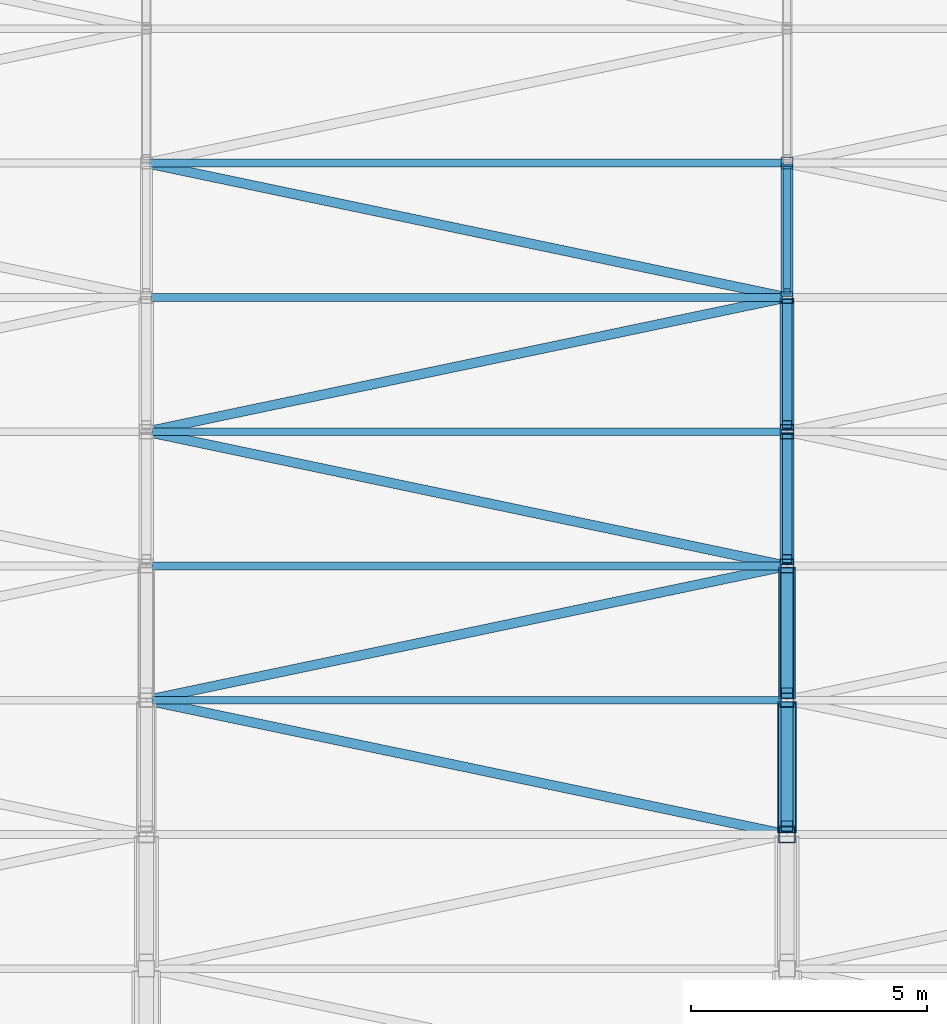
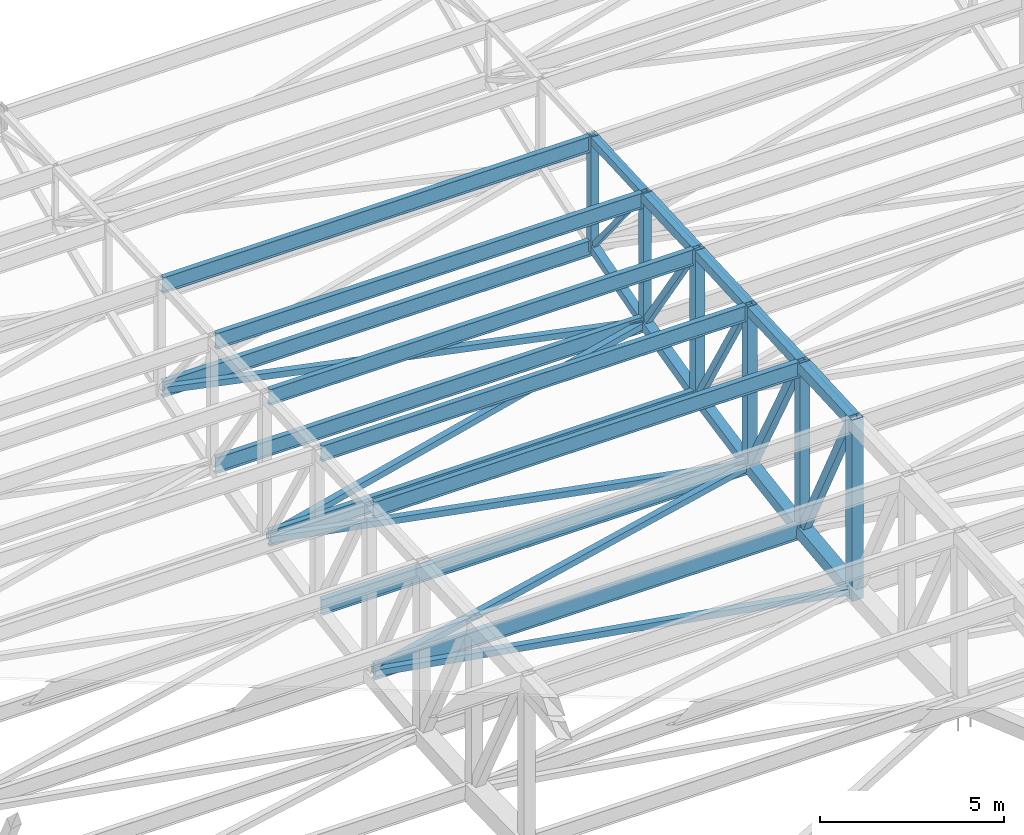
# One storey, part 20 of 278: 20 members, 16 beams.
"""IFC4 building model written with IfcOpenShell, lengths in metres."""

from ifc_helpers import new_model, si_unit, direction, frame, origin, origin_2d, place, context, subcontext, project, spatial, hollow_rectangle, i_section, extrude, material, material_profile, profile_set, type_object, element, save


model = new_model("IFC4")

# Units and contexts
model_context = context("Model", 3, precision=1e-05, world=origin(), true_north=direction((0.0, 1.0)))
body_context = subcontext(model_context, "Body", "Model", "MODEL_VIEW")
ifc_project = project(units=[si_unit("LENGTHUNIT", "METRE"), si_unit("AREAUNIT", "SQUARE_METRE"), si_unit("VOLUMEUNIT", "CUBIC_METRE"), si_unit("PLANEANGLEUNIT", "RADIAN"), si_unit("MASSUNIT", "GRAM", prefix="KILO")], contexts=[model_context])

# Site, building, storey
site_placement = place(None, origin())
site = spatial("IfcSite", under=ifc_project, at=site_placement, CompositionType="ELEMENT")
building_placement = place(site_placement, origin())
building = spatial("IfcBuilding", under=site, at=building_placement, Name="Ogive Plaza Stadium", CompositionType="ELEMENT")
storey_placement = place(building_placement, frame((0.0, 0.0, 29.0)))
storey = spatial("IfcBuildingStorey", under=building, at=storey_placement, Name="Roof", CompositionType="ELEMENT", Elevation=29.0)

# Members
ifc_material_1 = material(Name="Steel ASTM A500 Grade C", Category="steel")
ifc_material_profile_1 = material_profile(ifc_material_1, hollow_rectangle(XDim=0.203125, YDim=0.203125, WallThickness=0.0087890625, at=origin_2d()), Name="HSS8X8X3/8")
ifc_profile_set_1 = profile_set([ifc_material_profile_1], Name="Steel ASTM A500 Grade C")
member_type_1 = type_object("IfcMemberType", Name="Roof plan brace HSS8X8X3/8", PredefinedType="BRACE", material=ifc_profile_set_1)
member_1_placement = place(storey_placement, frame((-6.70703125, -72.569580078125, 3.269775390625), z_axis=(0.977082530992, -0.204752597487, -0.058190217838), x_axis=(0.205100136873, 0.978740994265, 0.0)))
element("IfcMember", 1, at=member_1_placement, inside=storey, type_object=member_type_1, Name="ROOF BRACE B14 4", PredefinedType="BRACE", context=body_context, shape_type="SweptSolid", body=[
    extrude(hollow_rectangle(XDim=0.203125, YDim=0.203125, WallThickness=0.0087890625, at=origin_2d()), origin(), (0.0, 0.0, 1.0), 13.70263671875),
])
member_2_placement = place(storey_placement, frame((6.681640625, -75.4248046875, 2.459228515625), z_axis=(-0.977474612888, -0.204849020574, -0.05079625901), x_axis=(0.205113814972, -0.97873812785, 0.0)))
element("IfcMember", 2, at=member_2_placement, inside=storey, type_object=member_type_1, Name="ROOF BRACE B14 5", PredefinedType="BRACE", context=body_context, shape_type="SweptSolid", body=[
    extrude(hollow_rectangle(XDim=0.203125, YDim=0.203125, WallThickness=0.0087890625, at=origin_2d()), origin(), (0.0, 0.0, 1.0), 13.64501953125),
])
member_3_placement = place(storey_placement, frame((-6.656005859375, -78.280029296875, 1.752685546875), z_axis=(0.977964741521, -0.204951823008, -0.039745623505), x_axis=(0.20511389775, 0.978738110502, 0.0)))
element("IfcMember", 3, at=member_3_placement, inside=storey, type_object=member_type_1, Name="ROOF BRACE B14 6", PredefinedType="BRACE", context=body_context, shape_type="SweptSolid", body=[
    extrude(hollow_rectangle(XDim=0.203125, YDim=0.203125, WallThickness=0.0087890625, at=origin_2d()), origin(), (0.0, 0.0, 1.0), 13.612060546875),
])
member_4_placement = place(storey_placement, frame((6.656005859375, -81.130126953125, 1.201416015625), z_axis=(-0.978281677064, -0.20501824311, -0.030536540629), x_axis=(0.20511389775, -0.978738110502, 0.0)))
element("IfcMember", 4, at=member_4_placement, inside=storey, type_object=member_type_1, Name="ROOF BRACE B14 7", PredefinedType="BRACE", context=body_context, shape_type="SweptSolid", body=[
    extrude(hollow_rectangle(XDim=0.203125, YDim=0.203125, WallThickness=0.0087890625, at=origin_2d()), origin(), (0.0, 0.0, 1.0), 13.607666015625),
])
member_5_placement = place(storey_placement, frame((-6.656005859375, -83.980224609375, 0.778564453125), z_axis=(0.978553602064, -0.20507154885, -0.019455275393), x_axis=(0.205110370456, 0.97873884971, 0.0)))
element("IfcMember", 5, at=member_5_placement, inside=storey, type_object=member_type_1, Name="ROOF BRACE B14 8", PredefinedType="BRACE", context=body_context, shape_type="SweptSolid", body=[
    extrude(hollow_rectangle(XDim=0.203125, YDim=0.203125, WallThickness=0.0087890625, at=origin_2d()), origin(), (0.0, 0.0, 1.0), 13.577880859375),
])
ifc_material_2 = material(Name="Steel ASTM A992 Grade 50", Category="steel")
ifc_material_profile_2 = material_profile(ifc_material_2, i_section(OverallWidth=0.1650390625, OverallDepth=0.524658203125, WebThickness=0.0087890625, FlangeThickness=0.011474609375, at=origin_2d()), Name="W21X44")
ifc_profile_set_2 = profile_set([ifc_material_profile_2], Name="Steel ASTM A992 Grade 50")
member_type_2 = type_object("IfcMemberType", Name="Roof plan strut W21X44", PredefinedType="STRUT", material=ifc_profile_set_2)
member_6_placement = place(storey_placement, frame((6.728515625, -72.550048828125, 3.275146484375), z_axis=(-1.0, 0.0, 0.0), x_axis=(0.0, -1.0, 0.0)))
element("IfcMember", 6, at=member_6_placement, inside=storey, type_object=member_type_2, Name="ROOF STRUT B14 3", PredefinedType="STRUT", context=body_context, shape_type="SweptSolid", body=[
    extrude(i_section(OverallWidth=0.1650390625, OverallDepth=0.524658203125, WebThickness=0.0087890625, FlangeThickness=0.011474609375, at=origin_2d()), origin(), (0.0, 0.0, 1.0), 13.45703125),
])
member_7_placement = place(storey_placement, frame((6.702880859375, -75.39990234375, 2.46533203125), z_axis=(-1.0, 0.0, 0.0), x_axis=(0.0, -1.0, 0.0)))
element("IfcMember", 7, at=member_7_placement, inside=storey, type_object=member_type_2, Name="ROOF STRUT B14 4", PredefinedType="STRUT", context=body_context, shape_type="SweptSolid", body=[
    extrude(i_section(OverallWidth=0.1650390625, OverallDepth=0.524658203125, WebThickness=0.0087890625, FlangeThickness=0.011474609375, at=origin_2d()), origin(), (0.0, 0.0, 1.0), 13.40576171875),
])
for number, where, z_axis, x_axis, name in (
    (8, (6.677490234375, -78.25, 1.758544921875), (-1.0, 0.0, 0.0), (0.0, -1.0, 0.0), "ROOF STRUT B14 5"),
    (9, (6.677490234375, -81.10009765625, 1.205810546875), (-1.0, 0.0, 0.0), (0.0, -1.0, 0.0), "ROOF STRUT B14 6"),
    (10, (6.677490234375, -83.949951171875, 0.781494140625), (-1.0, 0.0, 0.0), (0.0, -1.0, 0.0), "ROOF STRUT B14 7"),
):
    element("IfcMember", number, at=place(storey_placement, frame(where, z_axis=z_axis, x_axis=x_axis)), inside=storey, type_object=member_type_2, Name=name, PredefinedType="STRUT", context=body_context, shape_type="SweptSolid", body=[
        extrude(i_section(OverallWidth=0.1650390625, OverallDepth=0.524658203125, WebThickness=0.0087890625, FlangeThickness=0.011474609375, at=origin_2d()), origin(), (0.0, 0.0, 1.0), 13.35498046875),
    ])
ifc_material_3 = material(Name="Steel ASTM A992 Grade 50", Category="steel")
ifc_material_profile_3 = material_profile(ifc_material_3, i_section(OverallWidth=0.1650390625, OverallDepth=0.524658203125, WebThickness=0.0087890625, FlangeThickness=0.011474609375, at=origin_2d()), Name="W21X44")
ifc_profile_set_3 = profile_set([ifc_material_profile_3], Name="Steel ASTM A992 Grade 50")
member_type_3 = type_object("IfcMemberType", Name="Roof purlin W21X44", PredefinedType="PURLIN", material=ifc_profile_set_3)
member_8_placement = place(storey_placement, frame((6.728515625, -72.550048828125, 6.735107421875), z_axis=(-1.0, 0.0, 0.0), x_axis=(0.0, -1.0, 0.0)))
element("IfcMember", 11, at=member_8_placement, inside=storey, type_object=member_type_3, Name="ROOF PURLIN B14 3", PredefinedType="PURLIN", context=body_context, shape_type="SweptSolid", body=[
    extrude(i_section(OverallWidth=0.1650390625, OverallDepth=0.524658203125, WebThickness=0.0087890625, FlangeThickness=0.011474609375, at=origin_2d()), origin(), (0.0, 0.0, 1.0), 13.45703125),
])
member_9_placement = place(storey_placement, frame((6.702880859375, -75.39990234375, 6.592529296875), z_axis=(-1.0, 0.0, 0.0), x_axis=(0.0, -1.0, 0.0)))
element("IfcMember", 12, at=member_9_placement, inside=storey, type_object=member_type_3, Name="ROOF PURLIN B14 4", PredefinedType="PURLIN", context=body_context, shape_type="SweptSolid", body=[
    extrude(i_section(OverallWidth=0.1650390625, OverallDepth=0.524658203125, WebThickness=0.0087890625, FlangeThickness=0.011474609375, at=origin_2d()), origin(), (0.0, 0.0, 1.0), 13.40576171875),
])
for number, where, z_axis, x_axis, name in (
    (13, (6.677490234375, -78.25, 6.4501953125), (-1.0, 0.0, 0.0), (0.0, -1.0, 0.0), "ROOF PURLIN B14 5"),
    (14, (6.677490234375, -81.10009765625, 6.3076171875), (-1.0, 0.0, 0.0), (0.0, -1.0, 0.0), "ROOF PURLIN B14 6"),
    (15, (6.677490234375, -83.949951171875, 6.1650390625), (-1.0, 0.0, 0.0), (0.0, -1.0, 0.0), "ROOF PURLIN B14 7"),
):
    element("IfcMember", number, at=place(storey_placement, frame(where, z_axis=z_axis, x_axis=x_axis)), inside=storey, type_object=member_type_3, Name=name, PredefinedType="PURLIN", context=body_context, shape_type="SweptSolid", body=[
        extrude(i_section(OverallWidth=0.1650390625, OverallDepth=0.524658203125, WebThickness=0.0087890625, FlangeThickness=0.011474609375, at=origin_2d()), origin(), (0.0, 0.0, 1.0), 13.35498046875),
    ])

# Beams
ifc_material_4 = material(Name="Steel ASTM A500 Grade C", Category="steel")
ifc_material_profile_4 = material_profile(ifc_material_4, hollow_rectangle(XDim=0.25390625, YDim=0.25390625, WallThickness=0.01171875, at=origin_2d()), Name="HSS10X10X1/2")
ifc_profile_set_4 = profile_set([ifc_material_profile_4], Name="Steel ASTM A500 Grade C")
beam_type_1 = type_object("IfcBeamType", Name="Roof truss bottom chord HSS10X10X1/2", PredefinedType="BEAM", material=ifc_profile_set_4)
beam_1_placement = place(storey_placement, frame((6.800048828125, -72.60009765625, 3.265869140625), z_axis=(0.0, -0.959640437259, -0.281229854705), x_axis=(1.0, 0.0, 0.0)))
element("IfcBeam", 16, at=beam_1_placement, inside=storey, type_object=beam_type_1, Name="ROOF TRUSS T14 BOTTOM CHORD 4", PredefinedType="BEAM", context=body_context, shape_type="SweptSolid", body=[
    extrude(hollow_rectangle(XDim=0.25390625, YDim=0.25390625, WallThickness=0.01171875, at=origin_2d()), origin(), (0.0, 0.0, 1.0), 2.86572265625),
])
ifc_material_5 = material(Name="Steel ASTM A500 Grade C", Category="steel")
ifc_material_profile_5 = material_profile(ifc_material_5, hollow_rectangle(XDim=0.3046875, YDim=0.3046875, WallThickness=0.0146484375, at=origin_2d()), Name="HSS12X12X5/8")
ifc_profile_set_5 = profile_set([ifc_material_profile_5], Name="Steel ASTM A500 Grade C")
beam_type_2 = type_object("IfcBeamType", Name="Roof truss bottom chord HSS12X12X5/8", PredefinedType="BEAM", material=ifc_profile_set_5)
beam_2_placement = place(storey_placement, frame((6.800048828125, -75.449951171875, 2.45751953125), z_axis=(0.0, -0.970607032995, -0.240669872439), x_axis=(1.0, 0.0, 0.0)))
element("IfcBeam", 17, at=beam_2_placement, inside=storey, type_object=beam_type_2, Name="ROOF TRUSS T14 BOTTOM CHORD 5", PredefinedType="BEAM", context=body_context, shape_type="SweptSolid", body=[
    extrude(hollow_rectangle(XDim=0.3046875, YDim=0.3046875, WallThickness=0.0146484375, at=origin_2d()), origin(), (0.0, 0.0, 1.0), 2.833251953125),
])
beam_3_placement = place(storey_placement, frame((6.800048828125, -78.300048828125, 1.751708984375), z_axis=(0.0, -0.980021250437, -0.19889280704), x_axis=(1.0, 0.0, 0.0)))
element("IfcBeam", 18, at=beam_3_placement, inside=storey, type_object=beam_type_2, Name="ROOF TRUSS T14 BOTTOM CHORD 6", PredefinedType="BEAM", context=body_context, shape_type="SweptSolid", body=[
    extrude(hollow_rectangle(XDim=0.3046875, YDim=0.3046875, WallThickness=0.0146484375, at=origin_2d()), origin(), (0.0, 0.0, 1.0), 2.80615234375),
])
ifc_material_6 = material(Name="Steel ASTM A500 Grade C", Category="steel")
ifc_material_profile_6 = material_profile(ifc_material_6, hollow_rectangle(XDim=0.355712890625, YDim=0.355712890625, WallThickness=0.0146484375, at=origin_2d()), Name="HSS14X14X5/8")
ifc_profile_set_6 = profile_set([ifc_material_profile_6], Name="Steel ASTM A500 Grade C")
beam_type_3 = type_object("IfcBeamType", Name="Roof truss bottom chord HSS14X14X5/8", PredefinedType="BEAM", material=ifc_profile_set_6)
beam_4_placement = place(storey_placement, frame((6.800048828125, -81.14990234375, 1.2001953125), z_axis=(0.0, -0.987770074518, -0.155917541947), x_axis=(1.0, 0.0, 0.0)))
element("IfcBeam", 19, at=beam_4_placement, inside=storey, type_object=beam_type_3, Name="ROOF TRUSS T14 BOTTOM CHORD 7", PredefinedType="BEAM", context=body_context, shape_type="SweptSolid", body=[
    extrude(hollow_rectangle(XDim=0.355712890625, YDim=0.355712890625, WallThickness=0.0146484375, at=origin_2d()), origin(), (0.0, 0.0, 1.0), 2.783935546875),
])
ifc_material_7 = material(Name="Steel ASTM A500 Grade C", Category="steel")
ifc_material_profile_7 = material_profile(ifc_material_7, hollow_rectangle(XDim=0.406494140625, YDim=0.406494140625, WallThickness=0.0146484375, at=origin_2d()), Name="HSS16X16X5/8")
ifc_profile_set_7 = profile_set([ifc_material_profile_7], Name="Steel ASTM A500 Grade C")
beam_type_4 = type_object("IfcBeamType", Name="Roof truss bottom chord HSS16X16X5/8", PredefinedType="BEAM", material=ifc_profile_set_7)
beam_5_placement = place(storey_placement, frame((6.800048828125, -84.0, 0.777099609375), z_axis=(0.0, -0.993703844406, -0.112038696946), x_axis=(1.0, 0.0, 0.0)))
element("IfcBeam", 20, at=beam_5_placement, inside=storey, type_object=beam_type_4, Name="ROOF TRUSS T14 BOTTOM CHORD 8", PredefinedType="BEAM", context=body_context, shape_type="SweptSolid", body=[
    extrude(hollow_rectangle(XDim=0.406494140625, YDim=0.406494140625, WallThickness=0.0146484375, at=origin_2d()), origin(), (0.0, 0.0, 1.0), 2.767333984375),
])

# Members
ifc_material_8 = material(Name="Steel ASTM A500 Grade C", Category="steel")
ifc_material_profile_8 = material_profile(ifc_material_8, hollow_rectangle(XDim=0.25390625, YDim=0.25390625, WallThickness=0.0087890625, at=origin_2d()), Name="HSS10X10X3/8")
ifc_profile_set_8 = profile_set([ifc_material_profile_8], Name="Steel ASTM A500 Grade C")
member_type_4 = type_object("IfcMemberType", Name="Roof truss diagonal HSS10X10X3/8", PredefinedType="BRACE", material=ifc_profile_set_8)
member_10_placement = place(storey_placement, frame((6.800048828125, -81.25244140625, 1.383544921875), z_axis=(0.0, -0.473127942579, 0.880993728667), x_axis=(1.0, 0.0, 0.0)))
element("IfcMember", 21, at=member_10_placement, inside=storey, type_object=member_type_4, Name="ROOF TRUSS T14 DIAGONAL 7", PredefinedType="BRACE", context=body_context, shape_type="SweptSolid", body=[
    extrude(hollow_rectangle(XDim=0.25390625, YDim=0.25390625, WallThickness=0.0087890625, at=origin_2d()), origin(), (0.0, 0.0, 1.0), 5.37939453125),
])
member_11_placement = place(storey_placement, frame((6.800048828125, -84.102294921875, 0.984619140625), z_axis=(0.0, -0.454062843231, 0.890969659639), x_axis=(1.0, 0.0, 0.0)))
element("IfcMember", 22, at=member_11_placement, inside=storey, type_object=member_type_4, Name="ROOF TRUSS T14 DIAGONAL 8", PredefinedType="BRACE", context=body_context, shape_type="SweptSolid", body=[
    extrude(hollow_rectangle(XDim=0.25390625, YDim=0.25390625, WallThickness=0.0087890625, at=origin_2d()), origin(), (0.0, 0.0, 1.0), 5.550048828125),
])
ifc_material_9 = material(Name="Steel ASTM A500 Grade C", Category="steel")
ifc_material_profile_9 = material_profile(ifc_material_9, hollow_rectangle(XDim=0.15234375, YDim=0.15234375, WallThickness=0.0087890625, at=origin_2d()), Name="HSS6X6X3/8")
ifc_profile_set_9 = profile_set([ifc_material_profile_9], Name="Steel ASTM A500 Grade C")
member_type_5 = type_object("IfcMemberType", Name="Roof truss diagonal HSS6X6X3/8", PredefinedType="BRACE", material=ifc_profile_set_9)
member_12_placement = place(storey_placement, frame((6.800048828125, -72.677001953125, 3.40234375), z_axis=(0.0, -0.630150764463, 0.77647280316), x_axis=(1.0, 0.0, 0.0)))
element("IfcMember", 23, at=member_12_placement, inside=storey, type_object=member_type_5, Name="ROOF TRUSS T14 DIAGONAL 4", PredefinedType="BRACE", context=body_context, shape_type="SweptSolid", body=[
    extrude(hollow_rectangle(XDim=0.15234375, YDim=0.15234375, WallThickness=0.0087890625, at=origin_2d()), origin(), (0.0, 0.0, 1.0), 4.11962890625),
])
ifc_material_10 = material(Name="Steel ASTM A500 Grade C", Category="steel")
ifc_material_profile_10 = material_profile(ifc_material_10, hollow_rectangle(XDim=0.203125, YDim=0.203125, WallThickness=0.0087890625, at=origin_2d()), Name="HSS8X8X3/8")
ifc_profile_set_10 = profile_set([ifc_material_profile_10], Name="Steel ASTM A500 Grade C")
member_type_6 = type_object("IfcMemberType", Name="Roof truss diagonal HSS8X8X3/8", PredefinedType="BRACE", material=ifc_profile_set_10)
member_13_placement = place(storey_placement, frame((6.800048828125, -75.527099609375, 2.617919921875), z_axis=(0.0, -0.561338440243, 0.827586343233), x_axis=(1.0, 0.0, 0.0)))
element("IfcMember", 24, at=member_13_placement, inside=storey, type_object=member_type_6, Name="ROOF TRUSS T14 DIAGONAL 5", PredefinedType="BRACE", context=body_context, shape_type="SweptSolid", body=[
    extrude(hollow_rectangle(XDim=0.203125, YDim=0.203125, WallThickness=0.0087890625, at=origin_2d()), origin(), (0.0, 0.0, 1.0), 4.579345703125),
])
member_14_placement = place(storey_placement, frame((6.800048828125, -78.40234375, 1.9111328125), z_axis=(0.0, -0.504659398762, 0.863318534054), x_axis=(1.0, 0.0, 0.0)))
element("IfcMember", 25, at=member_14_placement, inside=storey, type_object=member_type_6, Name="ROOF TRUSS T14 DIAGONAL 6", PredefinedType="BRACE", context=body_context, shape_type="SweptSolid", body=[
    extrude(hollow_rectangle(XDim=0.203125, YDim=0.203125, WallThickness=0.0087890625, at=origin_2d()), origin(), (0.0, 0.0, 1.0), 5.043212890625),
])

# Beams
ifc_material_11 = material(Name="Steel ASTM A500 Grade C", Category="steel")
ifc_material_profile_11 = material_profile(ifc_material_11, hollow_rectangle(XDim=0.25390625, YDim=0.25390625, WallThickness=0.01171875, at=origin_2d()), Name="HSS10X10X1/2")
ifc_profile_set_11 = profile_set([ifc_material_profile_11], Name="Steel ASTM A500 Grade C")
beam_type_5 = type_object("IfcBeamType", Name="Roof truss post HSS10X10X1/2", PredefinedType="BEAM", material=ifc_profile_set_11)
beam_6_placement = place(storey_placement, frame((6.800048828125, -72.550048828125, 3.148193359375), z_axis=(0.0, 0.0, 1.0), x_axis=(1.0, 0.0, 0.0)))
element("IfcBeam", 26, at=beam_6_placement, inside=storey, type_object=beam_type_5, Name="ROOF TRUSS T14 POST 4", PredefinedType="BEAM", context=body_context, shape_type="SweptSolid", body=[
    extrude(hollow_rectangle(XDim=0.25390625, YDim=0.25390625, WallThickness=0.01171875, at=origin_2d()), origin(), (0.0, 0.0, 1.0), 3.849365234375),
])
beam_7_placement = place(storey_placement, frame((6.800048828125, -75.39990234375, 2.31298828125), z_axis=(0.0, 0.0, 1.0), x_axis=(1.0, 0.0, 0.0)))
element("IfcBeam", 27, at=beam_7_placement, inside=storey, type_object=beam_type_5, Name="ROOF TRUSS T14 POST 5", PredefinedType="BEAM", context=body_context, shape_type="SweptSolid", body=[
    extrude(hollow_rectangle(XDim=0.25390625, YDim=0.25390625, WallThickness=0.01171875, at=origin_2d()), origin(), (0.0, 0.0, 1.0), 4.5419921875),
])
ifc_material_12 = material(Name="Steel ASTM A500 Grade C", Category="steel")
ifc_material_profile_12 = material_profile(ifc_material_12, hollow_rectangle(XDim=0.3046875, YDim=0.3046875, WallThickness=0.01171875, at=origin_2d()), Name="HSS12X12X1/2")
ifc_profile_set_12 = profile_set([ifc_material_profile_12], Name="Steel ASTM A500 Grade C")
beam_type_6 = type_object("IfcBeamType", Name="Roof truss post HSS12X12X1/2", PredefinedType="BEAM", material=ifc_profile_set_12)
beam_8_placement = place(storey_placement, frame((6.800048828125, -78.25, 1.606201171875), z_axis=(0.0, 0.0, 1.0), x_axis=(1.0, 0.0, 0.0)))
element("IfcBeam", 28, at=beam_8_placement, inside=storey, type_object=beam_type_6, Name="ROOF TRUSS T14 POST 6", PredefinedType="BEAM", context=body_context, shape_type="SweptSolid", body=[
    extrude(hollow_rectangle(XDim=0.3046875, YDim=0.3046875, WallThickness=0.01171875, at=origin_2d()), origin(), (0.0, 0.0, 1.0), 5.106201171875),
])
ifc_material_13 = material(Name="Steel ASTM A500 Grade C", Category="steel")
ifc_material_profile_13 = material_profile(ifc_material_13, hollow_rectangle(XDim=0.3046875, YDim=0.3046875, WallThickness=0.0146484375, at=origin_2d()), Name="HSS12X12X5/8")
ifc_profile_set_13 = profile_set([ifc_material_profile_13], Name="Steel ASTM A500 Grade C")
beam_type_7 = type_object("IfcBeamType", Name="Roof truss post HSS12X12X5/8", PredefinedType="BEAM", material=ifc_profile_set_13)
beam_9_placement = place(storey_placement, frame((6.800048828125, -81.10009765625, 1.028076171875), z_axis=(0.0, 0.0, 1.0), x_axis=(1.0, 0.0, 0.0)))
element("IfcBeam", 29, at=beam_9_placement, inside=storey, type_object=beam_type_7, Name="ROOF TRUSS T14 POST 7", PredefinedType="BEAM", context=body_context, shape_type="SweptSolid", body=[
    extrude(hollow_rectangle(XDim=0.3046875, YDim=0.3046875, WallThickness=0.0146484375, at=origin_2d()), origin(), (0.0, 0.0, 1.0), 5.5419921875),
])
beam_10_placement = place(storey_placement, frame((6.800048828125, -83.949951171875, 0.578369140625), z_axis=(0.0, 0.0, 1.0), x_axis=(1.0, 0.0, 0.0)))
element("IfcBeam", 30, at=beam_10_placement, inside=storey, type_object=beam_type_7, Name="ROOF TRUSS T14 POST 8", PredefinedType="BEAM", context=body_context, shape_type="SweptSolid", body=[
    extrude(hollow_rectangle(XDim=0.3046875, YDim=0.3046875, WallThickness=0.0146484375, at=origin_2d()), origin(), (0.0, 0.0, 1.0), 5.84912109375),
])
ifc_material_14 = material(Name="Steel ASTM A500 Grade C", Category="steel")
ifc_material_profile_14 = material_profile(ifc_material_14, hollow_rectangle(XDim=0.355712890625, YDim=0.355712890625, WallThickness=0.0146484375, at=origin_2d()), Name="HSS14X14X5/8")
ifc_profile_set_14 = profile_set([ifc_material_profile_14], Name="Steel ASTM A500 Grade C")
beam_type_8 = type_object("IfcBeamType", Name="Roof truss post HSS14X14X5/8", PredefinedType="BEAM", material=ifc_profile_set_14)
beam_11_placement = place(storey_placement, frame((6.800048828125, -86.800048828125, 0.257080078125), z_axis=(0.0, 0.0, 1.0), x_axis=(1.0, 0.0, 0.0)))
element("IfcBeam", 31, at=beam_11_placement, inside=storey, type_object=beam_type_8, Name="ROOF TRUSS T14 POST 9", PredefinedType="BEAM", context=body_context, shape_type="SweptSolid", body=[
    extrude(hollow_rectangle(XDim=0.355712890625, YDim=0.355712890625, WallThickness=0.0146484375, at=origin_2d()), origin(), (0.0, 0.0, 1.0), 6.02783203125),
])
ifc_material_15 = material(Name="Steel ASTM A500 Grade C", Category="steel")
ifc_material_profile_15 = material_profile(ifc_material_15, hollow_rectangle(XDim=0.25390625, YDim=0.25390625, WallThickness=0.0087890625, at=origin_2d()), Name="HSS10X10X3/8")
ifc_profile_set_15 = profile_set([ifc_material_profile_15], Name="Steel ASTM A500 Grade C")
beam_type_9 = type_object("IfcBeamType", Name="Roof truss top chord HSS10X10X3/8", PredefinedType="BEAM", material=ifc_profile_set_15)
beam_12_placement = place(storey_placement, frame((6.800048828125, -72.60009765625, 6.867919921875), z_axis=(0.0, -0.998748798523, -0.05000837379), x_axis=(1.0, 0.0, 0.0)))
element("IfcBeam", 32, at=beam_12_placement, inside=storey, type_object=beam_type_9, Name="ROOF TRUSS T14 TOP CHORD 4", PredefinedType="BEAM", context=body_context, shape_type="SweptSolid", body=[
    extrude(hollow_rectangle(XDim=0.25390625, YDim=0.25390625, WallThickness=0.0087890625, at=origin_2d()), origin(), (0.0, 0.0, 1.0), 2.75341796875),
])
ifc_material_16 = material(Name="Steel ASTM A500 Grade C", Category="steel")
ifc_material_profile_16 = material_profile(ifc_material_16, hollow_rectangle(XDim=0.3046875, YDim=0.3046875, WallThickness=0.01171875, at=origin_2d()), Name="HSS12X12X1/2")
ifc_profile_set_16 = profile_set([ifc_material_profile_16], Name="Steel ASTM A500 Grade C")
beam_type_10 = type_object("IfcBeamType", Name="Roof truss top chord HSS12X12X1/2", PredefinedType="BEAM", material=ifc_profile_set_16)
beam_13_placement = place(storey_placement, frame((6.800048828125, -81.14990234375, 6.414794921875), z_axis=(0.0, -0.998753223187, -0.049919927615), x_axis=(1.0, 0.0, 0.0)))
element("IfcBeam", 33, at=beam_13_placement, inside=storey, type_object=beam_type_10, Name="ROOF TRUSS T14 TOP CHORD 7", PredefinedType="BEAM", context=body_context, shape_type="SweptSolid", body=[
    extrude(hollow_rectangle(XDim=0.3046875, YDim=0.3046875, WallThickness=0.01171875, at=origin_2d()), origin(), (0.0, 0.0, 1.0), 2.75341796875),
])
ifc_material_17 = material(Name="Steel ASTM A500 Grade C", Category="steel")
ifc_material_profile_17 = material_profile(ifc_material_17, hollow_rectangle(XDim=0.3046875, YDim=0.3046875, WallThickness=0.0087890625, at=origin_2d()), Name="HSS12X12X3/8")
ifc_profile_set_17 = profile_set([ifc_material_profile_17], Name="Steel ASTM A500 Grade C")
beam_type_11 = type_object("IfcBeamType", Name="Roof truss top chord HSS12X12X3/8", PredefinedType="BEAM", material=ifc_profile_set_17)
for number, where, z_axis, x_axis, name in (
    (34, (6.800048828125, -75.449951171875, 6.699951171875), (0.0, -0.998753223187, -0.049919927615), (1.0, 0.0, 0.0), "ROOF TRUSS T14 TOP CHORD 5"),
    (35, (6.800048828125, -78.300048828125, 6.557373046875), (0.0, -0.998753223187, -0.049919927615), (1.0, 0.0, 0.0), "ROOF TRUSS T14 TOP CHORD 6"),
):
    element("IfcBeam", number, at=place(storey_placement, frame(where, z_axis=z_axis, x_axis=x_axis)), inside=storey, type_object=beam_type_11, Name=name, PredefinedType="BEAM", context=body_context, shape_type="SweptSolid", body=[
        extrude(hollow_rectangle(XDim=0.3046875, YDim=0.3046875, WallThickness=0.0087890625, at=origin_2d()), origin(), (0.0, 0.0, 1.0), 2.75341796875),
    ])
ifc_material_18 = material(Name="Steel ASTM A500 Grade C", Category="steel")
ifc_material_profile_18 = material_profile(ifc_material_18, hollow_rectangle(XDim=0.355712890625, YDim=0.355712890625, WallThickness=0.01171875, at=origin_2d()), Name="HSS14X14X1/2")
ifc_profile_set_18 = profile_set([ifc_material_profile_18], Name="Steel ASTM A500 Grade C")
beam_type_12 = type_object("IfcBeamType", Name="Roof truss top chord HSS14X14X1/2", PredefinedType="BEAM", material=ifc_profile_set_18)
beam_14_placement = place(storey_placement, frame((6.800048828125, -84.0, 6.2470703125), z_axis=(0.0, -0.998748798523, -0.05000837379), x_axis=(1.0, 0.0, 0.0)))
element("IfcBeam", 36, at=beam_14_placement, inside=storey, type_object=beam_type_12, Name="ROOF TRUSS T14 TOP CHORD 8", PredefinedType="BEAM", context=body_context, shape_type="SweptSolid", body=[
    extrude(hollow_rectangle(XDim=0.355712890625, YDim=0.355712890625, WallThickness=0.01171875, at=origin_2d()), origin(), (0.0, 0.0, 1.0), 2.75341796875),
])

save(model, "model.ifc")
